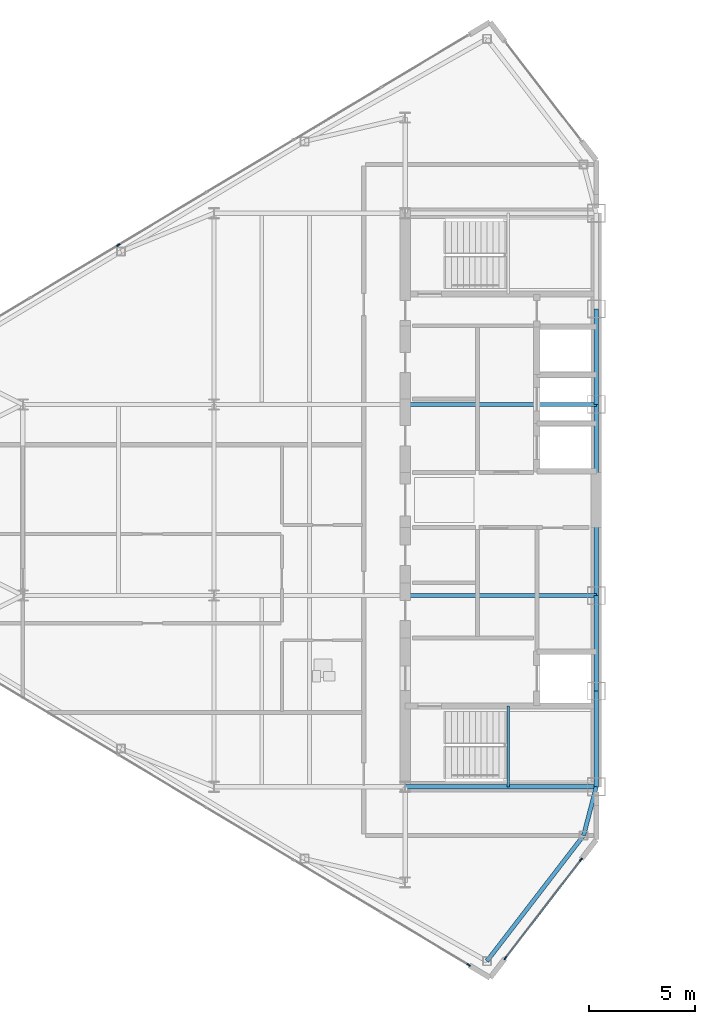
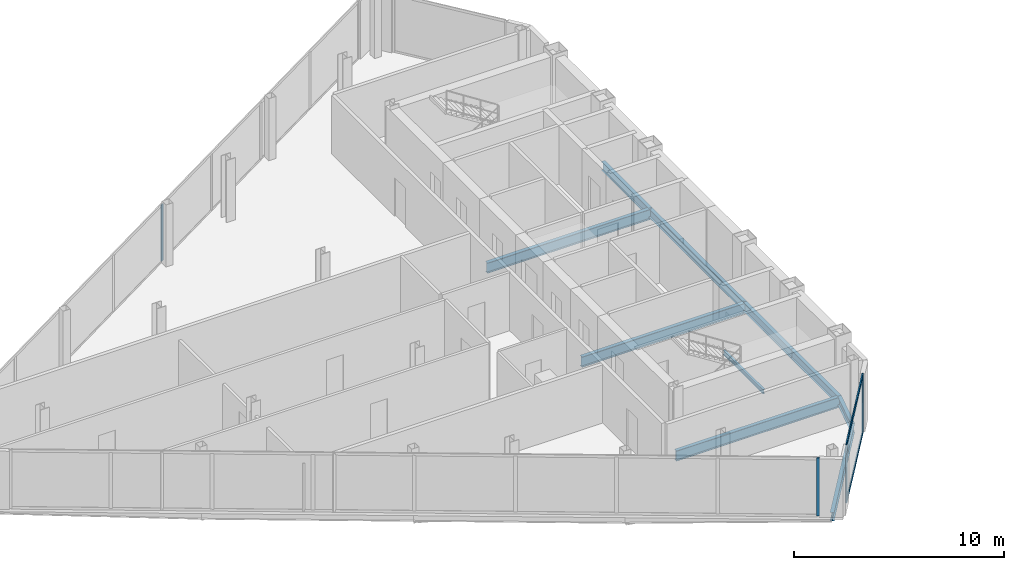
# One storey, part 8 of 25: 10 beams, 6 members, 3 elements without a shape of their own.
"""IFC4 building model written with IfcOpenShell, lengths in metres."""

from ifc_helpers import new_model, si_unit, direction, frame, origin, origin_2d, place, context, subcontext, project, spatial, rectangle, i_section, extrude, source, transform, mapped, material, layer, layer_set, material_profile, profile_set, type_object, type_shapes, element, aggregate, save


model = new_model("IFC4")

# Units and contexts
model_context = context("Model", 3, precision=1e-05, world=origin(), true_north=direction((0.0, 1.0)))
body_context = subcontext(model_context, "Body", "Model", "MODEL_VIEW")
ifc_project = project(units=[si_unit("LENGTHUNIT", "METRE"), si_unit("AREAUNIT", "SQUARE_METRE"), si_unit("VOLUMEUNIT", "CUBIC_METRE"), si_unit("PLANEANGLEUNIT", "RADIAN"), si_unit("MASSUNIT", "GRAM", prefix="KILO")], contexts=[model_context])

# Site, building, storey
site_placement = place(None, origin())
site = spatial("IfcSite", under=ifc_project, at=site_placement, CompositionType="ELEMENT")
building_placement = place(site_placement, origin())
building = spatial("IfcBuilding", under=site, at=building_placement, Name="Seokmaru Belvedere", CompositionType="ELEMENT")
storey_placement = place(building_placement, frame((0.0, 0.0, 210.300048828125)))
storey = spatial("IfcBuildingStorey", under=building, at=storey_placement, Name="L56", CompositionType="ELEMENT", Elevation=210.300048828125)

# Beams
ifc_material_1 = material(Name="Steel SM355 (355 MPa)", Category="steel")
ifc_material_profile_1 = material_profile(ifc_material_1, i_section(OverallWidth=0.199951171875, OverallDepth=0.5, WebThickness=0.010009765625, FlangeThickness=0.01611328125, at=origin_2d()), Name="H-500x200x10x16")
ifc_profile_set_1 = profile_set([ifc_material_profile_1], Name="Steel SM355 (355 MPa)")
beam_type_1 = type_object("IfcBeamType", Name="Perimeter Spandrel Beam H-500", PredefinedType="SPANDREL", material=ifc_profile_set_1)
shared_shape_1 = source(origin(), body_context, "Body", "SweptSolid", [
    extrude(i_section(OverallWidth=0.199951171875, OverallDepth=0.5, WebThickness=0.010009765625, FlangeThickness=0.01611328125, at=origin_2d()), origin(), (0.0, 0.0, 1.0), 4.5),
])
for number, where, z_axis, x_axis, name in (
    (1, (-27.5, -13.5, -0.469970703125), (0.0, 1.0, 0.0), (-1.0, 0.0, 0.0), "L56 W Portal Spine Spandrel 1"),
    (2, (-27.5, -9.0, -0.469970703125), (0.0, 1.0, 0.0), (-1.0, 0.0, 0.0), "L56 W Portal Spine Spandrel 2"),
    (3, (-27.5, 4.5, -0.469970703125), (0.0, 1.0, 0.0), (-1.0, 0.0, 0.0), "L56 W Portal Spine Spandrel 4"),
):
    element("IfcBeam", number, at=place(storey_placement, frame(where, z_axis=z_axis, x_axis=x_axis)), inside=storey, type_object=beam_type_1, Name=name, PredefinedType="SPANDREL", context=body_context, shape_type="MappedRepresentation", body=[
        mapped(shared_shape_1, transform((0.0, 0.0, 0.0), scale=1.0)),
    ])
shared_shape_2 = source(origin(), body_context, "Body", "SweptSolid", [
    extrude(i_section(OverallWidth=0.199951171875, OverallDepth=0.5, WebThickness=0.010009765625, FlangeThickness=0.01611328125, at=origin_2d()), origin(), (0.0, 0.0, 1.0), 9.0),
])
beam_1_placement = place(storey_placement, frame((-27.5, -4.5, -0.469970703125), z_axis=(0.0, 1.0, 0.0), x_axis=(-1.0, 0.0, 0.0)))
element("IfcBeam", 4, at=beam_1_placement, inside=storey, type_object=beam_type_1, Name="L56 W Portal Spine Spandrel 3", PredefinedType="SPANDREL", context=body_context, shape_type="MappedRepresentation", body=[
    mapped(shared_shape_2, transform((0.0, 0.0, 0.0), scale=1.0)),
])
ifc_material_profile_2 = material_profile(ifc_material_1, i_section(OverallWidth=0.199951171875, OverallDepth=0.60009765625, WebThickness=0.010986328125, FlangeThickness=0.01708984375, at=origin_2d()), Name="H-600x200x11x17")
ifc_profile_set_2 = profile_set([ifc_material_profile_2], Name="Steel SM355 (355 MPa)")
beam_type_2 = type_object("IfcBeamType", Name="Primary Floor Girder H-600", PredefinedType="BEAM", material=ifc_profile_set_2)
shared_shape_3 = source(origin(), body_context, "Body", "SweptSolid", [
    extrude(i_section(OverallWidth=0.199951171875, OverallDepth=0.60009765625, WebThickness=0.010986328125, FlangeThickness=0.01708984375, at=origin_2d()), origin(), (0.0, 0.0, 1.0), 9.0),
])
type_shapes(beam_type_2, [shared_shape_3])
for number, where, z_axis, x_axis, name in (
    (5, (-36.5, -13.5, -0.52001953125), (1.0, 0.0, 0.0), (0.0, 1.0, 0.0), "L56 W Core Tie Girder 1"),
    (6, (-36.5, -4.5, -0.52001953125), (1.0, 0.0, 0.0), (0.0, 1.0, 0.0), "L56 W Core Tie Girder 2"),
    (7, (-36.5, 4.5, -0.52001953125), (1.0, 0.0, 0.0), (0.0, 1.0, 0.0), "L56 W Core Tie Girder 3"),
):
    element("IfcBeam", number, at=place(storey_placement, frame(where, z_axis=z_axis, x_axis=x_axis)), inside=storey, type_object=beam_type_2, Name=name, PredefinedType="BEAM", context=body_context, shape_type="MappedRepresentation", body=[
        mapped(shared_shape_3, transform((0.0, 0.0, 0.0), scale=1.0)),
    ])
shared_shape_4 = source(origin(), body_context, "Body", "SweptSolid", [
    extrude(i_section(OverallWidth=0.199951171875, OverallDepth=0.5, WebThickness=0.010009765625, FlangeThickness=0.01611328125, at=origin_2d()), origin(), (0.0, 0.0, 1.0), 7.4619140625),
])
beam_2_placement = place(storey_placement, frame((-32.649658203125, -21.71044921875, -0.469970703125), z_axis=(0.609702854945, 0.792630070507, 0.0), x_axis=(-0.792630070507, 0.609702854945, 0.0)))
element("IfcBeam", 8, at=beam_2_placement, inside=storey, type_object=beam_type_1, Name="L56 W Shoulder Chamfer Spandrel S", PredefinedType="SPANDREL", context=body_context, shape_type="MappedRepresentation", body=[
    mapped(shared_shape_4, transform((0.0, 0.0, 0.0), scale=1.0)),
])
shared_shape_5 = source(origin(), body_context, "Body", "SweptSolid", [
    extrude(i_section(OverallWidth=0.199951171875, OverallDepth=0.5, WebThickness=0.010009765625, FlangeThickness=0.01611328125, at=origin_2d()), origin(), (0.0, 0.0, 1.0), 2.373046875),
])
type_shapes(beam_type_1, [shared_shape_1, shared_shape_2, shared_shape_4, shared_shape_5])
beam_3_placement = place(storey_placement, frame((-28.10009765625, -15.7958984375, -0.469970703125), z_axis=(0.252882558842, 0.967496982648, 0.0), x_axis=(-0.967496982648, 0.252882558842, 0.0)))
element("IfcBeam", 9, at=beam_3_placement, inside=storey, type_object=beam_type_1, Name="L56 W Shoulder Spine Spandrel S", PredefinedType="SPANDREL", context=body_context, shape_type="MappedRepresentation", body=[
    mapped(shared_shape_5, transform((0.0, 0.0, 0.0), scale=1.0)),
])

# Curtain wall, member
ifc_material_2 = material(Name="Bronze Triple Insulating Glass", Category="glass")
ifc_layer = layer(ifc_material_2, 0.179931640625)
ifc_layer_set = layer_set([ifc_layer], Name="Bronze Triple Insulating Glass")
curtain_wall_type = type_object("IfcCurtainWallType", Name="High-Rise Wind-Corner Curtain Wall System CW-5", PredefinedType="NOTDEFINED", material=ifc_layer_set)
curtain_wall_1_placement = place(storey_placement, origin())
curtain_wall_1 = element("IfcCurtainWall", 10, at=curtain_wall_1_placement, inside=storey, type_object=curtain_wall_type, Name="L56 Curtain Wall WF5", PredefinedType="NOTDEFINED")
ifc_material_3 = material(Name="Anodised Bronze Aluminium", Category="aluminium")
ifc_material_profile_3 = material_profile(ifc_material_3, rectangle(XDim=0.06494140625, YDim=0.179931640625, at=origin_2d()), Name="CW-M-65x180")
ifc_profile_set_3 = profile_set([ifc_material_profile_3], Name="Anodised Bronze Aluminium")
member_type_1 = type_object("IfcMemberType", Name="Bronze Unitised Mullion 65x180", PredefinedType="MULLION", material=ifc_profile_set_3)
shared_shape_6 = source(origin(), body_context, "Body", "SweptSolid", [
    extrude(rectangle(XDim=0.06494140625, YDim=0.179931640625, at=origin_2d()), origin(), (0.0, 0.0, 1.0), 3.3798828125),
])
member_1_placement = place(storey_placement, frame((-33.513916015625, -21.8916015625, 0.0), z_axis=(0.0, 0.0, 1.0), x_axis=(0.514494909364, 0.85749343335, 0.0)))
member_1 = element("IfcMember", 11, at=member_1_placement, type_object=member_type_1, Name="CW:L56:WF5 Mullion 9", PredefinedType="MULLION", context=body_context, shape_type="MappedRepresentation", body=[
    mapped(shared_shape_6, transform((0.0, 0.0, 0.0), scale=1.0)),
])
aggregate(curtain_wall_1, [member_1])

# Curtain wall, members
curtain_wall_2_placement = place(storey_placement, origin())
curtain_wall_2 = element("IfcCurtainWall", 12, at=curtain_wall_2_placement, inside=storey, type_object=curtain_wall_type, Name="L56 Curtain Wall WF6", PredefinedType="NOTDEFINED")
member_2_placement = place(storey_placement, frame((-31.779052734375, -21.562744140625, 0.0), z_axis=(0.0, 0.0, 1.0), x_axis=(-0.792631353244, 0.609701187349, 0.0)))
member_2 = element("IfcMember", 13, at=member_2_placement, type_object=member_type_1, Name="CW:L56:WF6 Mullion 1", PredefinedType="MULLION", context=body_context, shape_type="MappedRepresentation", body=[
    mapped(shared_shape_6, transform((0.0, 0.0, 0.0), scale=1.0)),
])
member_3_placement = place(storey_placement, frame((-28.220947265625, -16.937255859375, 0.0), z_axis=(0.0, 0.0, 1.0), x_axis=(-0.792631353244, 0.609701187349, 0.0)))
member_3 = element("IfcMember", 14, at=member_3_placement, type_object=member_type_1, Name="CW:L56:WF6 Mullion 2", PredefinedType="MULLION", context=body_context, shape_type="MappedRepresentation", body=[
    mapped(shared_shape_6, transform((0.0, 0.0, 0.0), scale=1.0)),
])

# Curtain wall, member
curtain_wall_3_placement = place(storey_placement, origin())
curtain_wall_3 = element("IfcCurtainWall", 15, at=curtain_wall_3_placement, inside=storey, type_object=curtain_wall_type, Name="L56 Curtain Wall WF3", PredefinedType="NOTDEFINED")
shared_shape_7 = source(origin(), body_context, "Body", "SweptSolid", [
    extrude(rectangle(XDim=0.06494140625, YDim=0.179931640625, at=origin_2d()), origin(), (0.0, 0.0, 1.0), 3.25),
])
type_shapes(member_type_1, [shared_shape_6, shared_shape_7])
member_4_placement = place(storey_placement, frame((-50.0, 12.0, 0.06494140625), z_axis=(0.0, 0.0, 1.0), x_axis=(0.514494909364, -0.85749343335, 0.0)))
member_4 = element("IfcMember", 16, at=member_4_placement, type_object=member_type_1, Name="CW:L56:WF3 Mullion 5", PredefinedType="MULLION", context=body_context, shape_type="MappedRepresentation", body=[
    mapped(shared_shape_7, transform((0.0, 0.0, 0.0), scale=1.0)),
])
aggregate(curtain_wall_3, [member_4])

# Member
ifc_material_profile_4 = material_profile(ifc_material_3, rectangle(XDim=0.06494140625, YDim=0.14990234375, at=origin_2d()), Name="CW-T-65x150")
ifc_profile_set_4 = profile_set([ifc_material_profile_4], Name="Anodised Bronze Aluminium")
member_type_2 = type_object("IfcMemberType", Name="Bronze Unitised Transom 65x150", PredefinedType="USERDEFINED", material=ifc_profile_set_4)
shared_shape_8 = source(origin(), body_context, "Body", "SweptSolid", [
    extrude(rectangle(XDim=0.06494140625, YDim=0.14990234375, at=origin_2d()), origin(), (0.0, 0.0, 1.0), 5.77099609375),
])
type_shapes(member_type_2, [shared_shape_8])
member_5_placement = place(storey_placement, frame((-31.75927734375, -21.537109375, 0.032470703125), z_axis=(0.60970258286, 0.792630279799, 0.0), x_axis=(-0.792630279799, 0.60970258286, 0.0)))
member_5 = element("IfcMember", 17, at=member_5_placement, type_object=member_type_2, Name="CW:L56:WF6 Continuous Transom 1", ObjectType="TRANSOM", PredefinedType="USERDEFINED", context=body_context, shape_type="MappedRepresentation", body=[
    mapped(shared_shape_8, transform((0.0, 0.0, 0.0), scale=1.0)),
])

member_6_placement = place(storey_placement, frame((-31.75927734375, -21.537109375, 3.347412109375), z_axis=(0.60970258286, 0.792630279799, 0.0), x_axis=(-0.792630279799, 0.60970258286, 0.0)))
member_6 = element("IfcMember", 18, at=member_6_placement, type_object=member_type_2, Name="CW:L56:WF6 Continuous Transom 2", ObjectType="TRANSOM", PredefinedType="USERDEFINED", context=body_context, shape_type="MappedRepresentation", body=[
    mapped(shared_shape_8, transform((0.0, 0.0, 0.0), scale=1.0)),
])

aggregate(curtain_wall_2, [member_2, member_3, member_5, member_6])

# Beam
ifc_material_profile_5 = material_profile(ifc_material_1, i_section(OverallWidth=0.125, OverallDepth=0.25, WebThickness=0.006103515625, FlangeThickness=0.009033203125, at=origin_2d()), Name="H-250x125x6x9")
ifc_profile_set_5 = profile_set([ifc_material_profile_5], Name="Steel SM355 (355 MPa)")
beam_type_3 = type_object("IfcBeamType", Name="Stair Mid-Landing Support Beam H-250", PredefinedType="JOIST", material=ifc_profile_set_5)
shared_shape_9 = source(origin(), body_context, "Body", "SweptSolid", [
    extrude(i_section(OverallWidth=0.125, OverallDepth=0.25, WebThickness=0.006103515625, FlangeThickness=0.009033203125, at=origin_2d()), origin(), (0.0, 0.0, 1.0), 3.800048828125),
])
type_shapes(beam_type_3, [shared_shape_9])
beam_4_placement = place(storey_placement, frame((-31.64990234375, -13.5, 1.474853515625), z_axis=(0.0, 1.0, 0.0), x_axis=(-1.0, 0.0, 0.0)))
element("IfcBeam", 19, at=beam_4_placement, inside=storey, type_object=beam_type_3, Name="L56 Stair ST-W1 Mid-Landing Support Beam 1", PredefinedType="JOIST", context=body_context, shape_type="MappedRepresentation", body=[
    mapped(shared_shape_9, transform((0.0, 0.0, 0.0), scale=1.0)),
])

save(model, "model.ifc")
